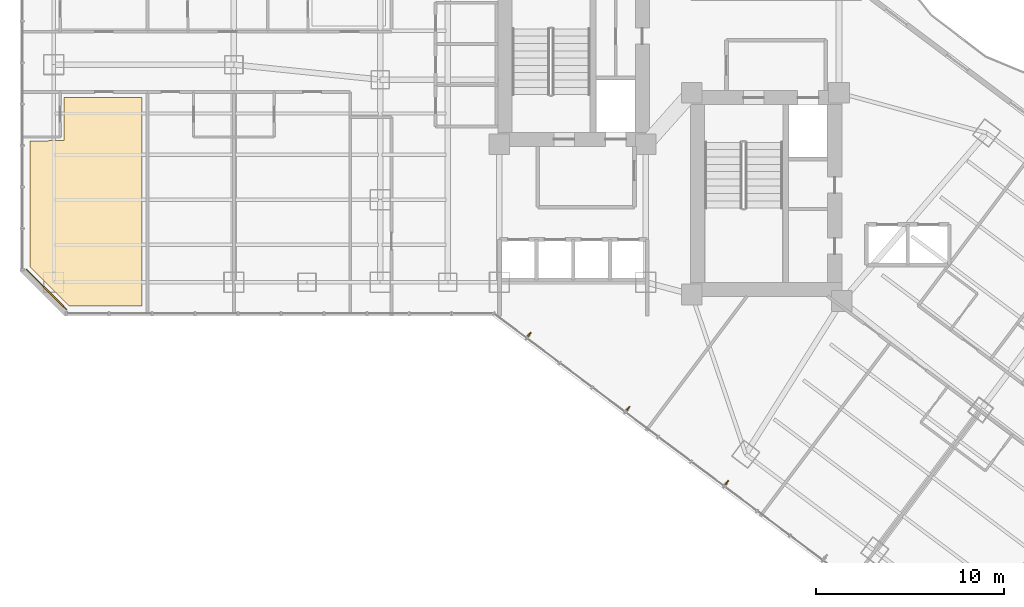
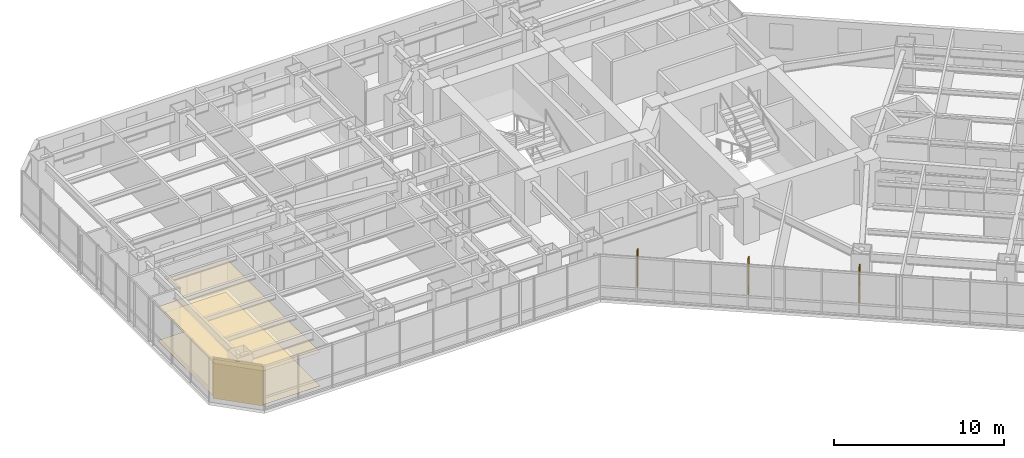
# One storey, part 34 of 38: 3 coverings, 3 shading devices.
"""IFC4 building model written with IfcOpenShell, lengths in metres."""

from ifc_helpers import new_model, si_unit, direction, frame, origin, origin_2d, place, context, subcontext, project, spatial, polyline, rectangle, outline, extrude, material, layer, layer_set, type_object, element, save


model = new_model("IFC4")

# Units and contexts
model_context = context("Model", 3, precision=1e-05, world=origin(), true_north=direction((0.0, 1.0)))
body_context = subcontext(model_context, "Body", "Model", "MODEL_VIEW")
ifc_project = project(units=[si_unit("LENGTHUNIT", "METRE"), si_unit("AREAUNIT", "SQUARE_METRE"), si_unit("VOLUMEUNIT", "CUBIC_METRE"), si_unit("PLANEANGLEUNIT", "RADIAN"), si_unit("MASSUNIT", "GRAM", prefix="KILO")], contexts=[model_context])

# Site, building, storey
site_placement = place(None, origin())
site = spatial("IfcSite", under=ifc_project, at=site_placement, CompositionType="ELEMENT")
building_placement = place(site_placement, origin())
building = spatial("IfcBuilding", under=site, at=building_placement, Name="Hatsunagi Terrace Concourse", CompositionType="ELEMENT")
storey_placement = place(building_placement, frame((0.0, 0.0, 63.39990234375)))
storey = spatial("IfcBuildingStorey", under=building, at=storey_placement, Name="L16", CompositionType="ELEMENT", Elevation=63.39990234375)

# Coverings
ifc_material_1 = material(Name="Acoustic mineral board", Category="gypsum")
ifc_layer_1 = layer(ifc_material_1, 0.02001953125)
ifc_layer_set_1 = layer_set([ifc_layer_1], Name="AcousticMineralCeiling_20")
covering_type_1 = type_object("IfcCoveringType", Name="AcousticMineralCeiling_20", PredefinedType="CEILING", material=ifc_layer_set_1)
covering_1_placement = place(storey_placement, frame((0.0, 0.0, 2.420166015625)))
element("IfcCovering", 1, at=covering_1_placement, inside=storey, type_object=covering_type_1, Name="Suspended Ceiling L16-2", PredefinedType="CEILING", context=body_context, shape_type="SweptSolid", body=[
    extrude(outline(polyline([(2.6201171875, 23.929931640625), (6.489990234375, 23.929931640625), (6.489990234375, 35.050048828125), (2.35791015625, 35.050048828125), (2.35595703125, 32.7451171875), (0.530029296875, 32.741943359375), (0.530029296875, 26.02001953125), (2.6201171875, 23.929931640625)])), origin(), (0.0, 0.0, 1.0), 0.02001953125),
])
ifc_material_2 = material(Name="Hardwood timber", Category="wood")
ifc_layer_2 = layer(ifc_material_2, 0.014892578125)
ifc_layer_set_2 = layer_set([ifc_layer_2], Name="HardwoodTimberFlooring_15")
covering_type_2 = type_object("IfcCoveringType", Name="HardwoodTimberFlooring_15", PredefinedType="FLOORING", material=ifc_layer_set_2)
covering_2_placement = place(storey_placement, origin())
element("IfcCovering", 2, at=covering_2_placement, inside=storey, type_object=covering_type_2, Name="Finished Flooring L16-2", PredefinedType="FLOORING", context=body_context, shape_type="SweptSolid", body=[
    extrude(outline(polyline([(2.6201171875, 23.929931640625), (6.489990234375, 23.929931640625), (6.489990234375, 35.050048828125), (2.35791015625, 35.050048828125), (2.35595703125, 32.7451171875), (0.530029296875, 32.741943359375), (0.530029296875, 26.02001953125), (2.6201171875, 23.929931640625)])), origin(), (0.0, 0.0, 1.0), 0.01513671875),
])

# Shading devices
ifc_material_3 = material(Name="Extruded Unglazed Terracotta Baguette", Category="masonry")
shading_device_type = type_object("IfcShadingDeviceType", Name="TerracottaFinScreen_260x70", PredefinedType="USERDEFINED", material=ifc_material_3)
for number, where, z_axis, x_axis, name in (
    (3, (37.677978515625, 14.529052734375, 0.85009765625), (0.0, 0.0, 1.0), (-0.800003116929, 0.599995844072, 0.0), "Terracotta Baguette Fin Screen SCR-01"),
    (4, (32.4150390625, 18.47705078125, 0.85009765625), (0.0, 0.0, 1.0), (-0.800003116929, 0.599995844072, 0.0), "Terracotta Baguette Fin Screen SCR-01"),
    (5, (27.15087890625, 22.424072265625, 0.85009765625), (0.0, 0.0, 1.0), (-0.800003116929, 0.599995844072, 0.0), "Terracotta Baguette Fin Screen SCR-01"),
):
    element("IfcShadingDevice", number, at=place(storey_placement, frame(where, z_axis=z_axis, x_axis=x_axis)), inside=storey, type_object=shading_device_type, Name=name, ObjectType="SUNSHADE", PredefinedType="USERDEFINED", context=body_context, shape_type="SweptSolid", body=[
        extrude(rectangle(XDim=0.070068359375, YDim=0.260009765625, at=origin_2d()), origin(), (0.0, 0.0, 1.0), 2.60009765625),
    ])

# Covering
ifc_material_4 = material(Name="Unglazed Warm Terracotta Rainscreen Tile", Category="masonry")
ifc_layer_3 = layer(ifc_material_4, 0.044921875)
ifc_layer_set_3 = layer_set([ifc_layer_3], Name="TerracottaRainscreenCladding_45")
covering_type_3 = type_object("IfcCoveringType", Name="TerracottaRainscreenCladding_45", PredefinedType="CLADDING", material=ifc_layer_set_3)
covering_3_placement = place(storey_placement, frame((1.4140625, 24.81396484375, 0.10009765625), z_axis=(0.0, 0.0, 1.0), x_axis=(-0.707106781187, 0.707106781187, 0.0)))
element("IfcCovering", 6, at=covering_3_placement, inside=storey, type_object=covering_type_3, Name="Terracotta Rainscreen Cladding L16-08", PredefinedType="CLADDING", context=body_context, shape_type="SweptSolid", body=[
    extrude(rectangle(XDim=3.0380859375, YDim=0.044921875, at=origin_2d()), origin(), (0.0, 0.0, 1.0), 2.929931640625),
])

save(model, "model.ifc")
